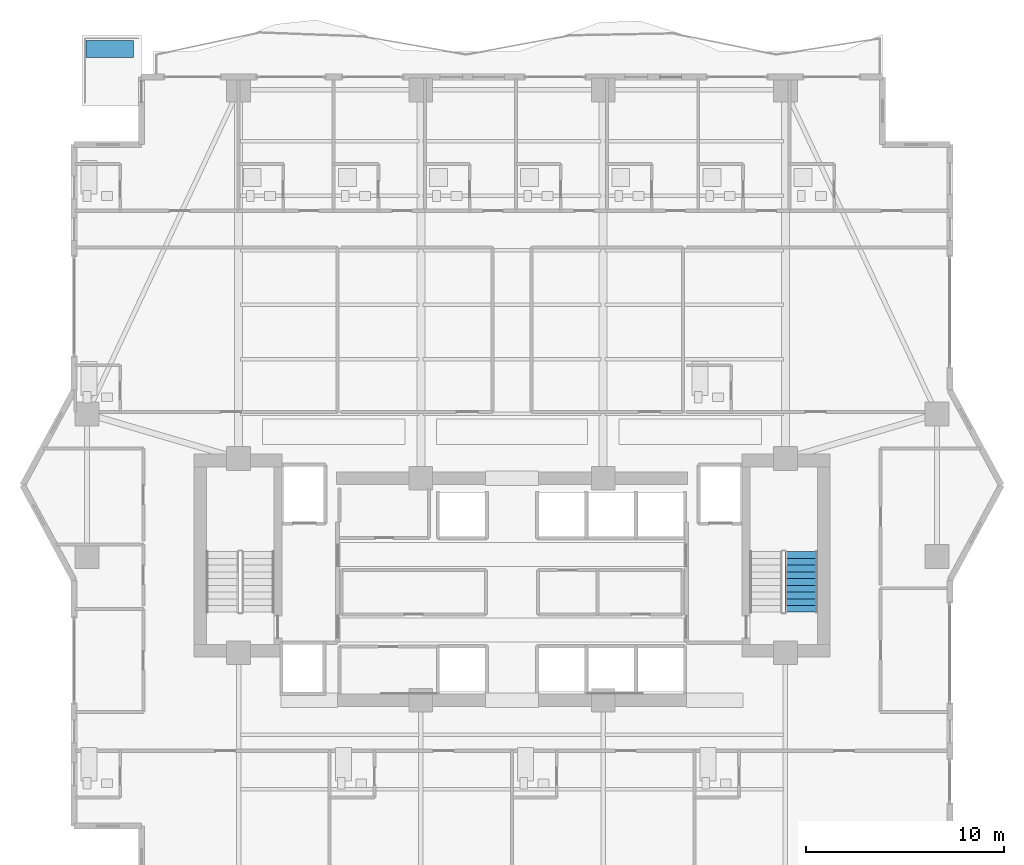
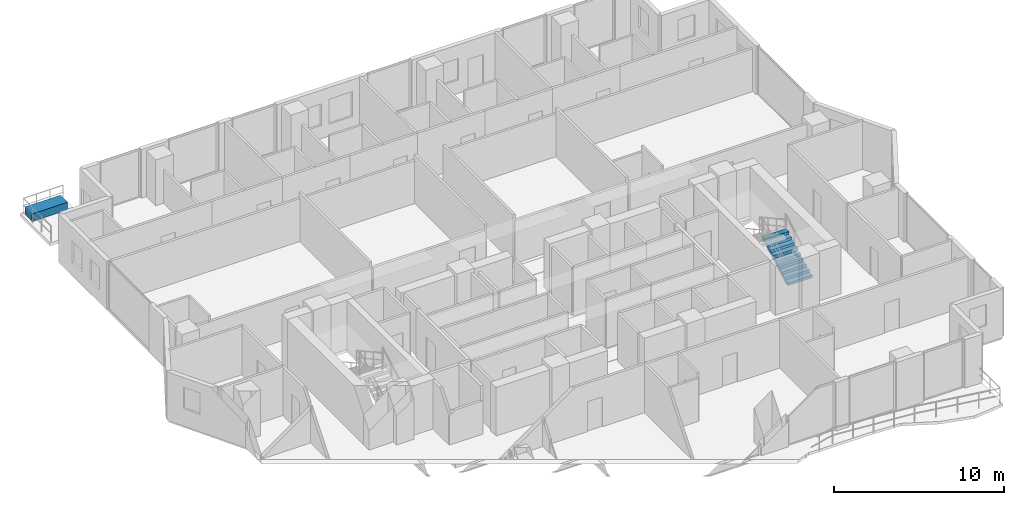
# One storey, part 29 of 33: 1 building element part, 1 stair flight, 1 element without a shape of its own.
"""IFC4 building model written with IfcOpenShell, lengths in metres."""

from ifc_helpers import new_model, si_unit, direction, frame, origin, origin_2d, place, context, subcontext, project, spatial, polyline, rectangle, outline, extrude, material, layer, layer_set, type_object, element, aggregate, save


model = new_model("IFC4")

# Units and contexts
model_context = context("Model", 3, precision=1e-05, world=origin(), true_north=direction((0.0, 1.0)))
body_context = subcontext(model_context, "Body", "Model", "MODEL_VIEW")
ifc_project = project(units=[si_unit("LENGTHUNIT", "METRE"), si_unit("AREAUNIT", "SQUARE_METRE"), si_unit("VOLUMEUNIT", "CUBIC_METRE"), si_unit("PLANEANGLEUNIT", "RADIAN"), si_unit("MASSUNIT", "GRAM", prefix="KILO")], contexts=[model_context])

# Site, building, storey
site_placement = place(None, origin())
site = spatial("IfcSite", under=ifc_project, at=site_placement, CompositionType="ELEMENT")
building_placement = place(site_placement, origin())
building = spatial("IfcBuilding", under=site, at=building_placement, Name="Zuhayl Quay Hotel", CompositionType="ELEMENT")
storey_placement = place(building_placement, frame((0.0, 0.0, 229.89990234375)))
storey = spatial("IfcBuildingStorey", under=building, at=storey_placement, Name="L58", CompositionType="ELEMENT", Elevation=229.89990234375)

# Stair, stair flight
ifc_material_1 = material(Name="Concrete C45/55", Category="concrete")
stair_type = type_object("IfcStairType", Name="ST_DOGLEG_TOWER", PredefinedType="HALF_TURN_STAIR", material=ifc_material_1)
stair_placement = place(storey_placement, origin())
stair = element("IfcStair", 1, at=stair_placement, inside=storey, type_object=stair_type, Name="L58 Smokeproof Exit Stair ST2", PredefinedType="HALF_TURN_STAIR")
ifc_layer_1 = layer(ifc_material_1, 0.159912109375, Name="Concrete C45/55", Category="concrete")
ifc_layer_set_1 = layer_set([ifc_layer_1], Name="Concrete C45/55")
stair_flight_type = type_object("IfcStairFlightType", Name="SF_CONC_164", PredefinedType="STRAIGHT", material=ifc_layer_set_1)
stair_flight_placement = place(storey_placement, frame((14.610107421875, 6.590087890625, 0.0), z_axis=(0.0, 0.0, 1.0), x_axis=(0.0, 1.0, 0.0)))
stair_flight = element("IfcStairFlight", 2, at=stair_flight_placement, type_object=stair_flight_type, Name="ST2 flight 1", NumberOfRisers=10, NumberOfTreads=9, PredefinedType="STRAIGHT", RiserHeight=0.1875, TreadLength=0.34, context=body_context, shape_type="SweptSolid", body=[
    extrude(outline(polyline([(0.0, 0.0), (0.0, 0.1875), (0.340087890625, 0.1875), (0.340087890625, 0.375), (0.679931640625, 0.375), (0.679931640625, 0.5625), (1.02001953125, 0.5625), (1.02001953125, 0.75), (1.360107421875, 0.75), (1.360107421875, 0.9375), (1.699951171875, 0.9375), (1.699951171875, 1.125), (2.0400390625, 1.125), (2.0400390625, 1.3125), (2.3798828125, 1.3125), (2.3798828125, 1.5), (2.719970703125, 1.5), (2.719970703125, 1.6875), (3.06005859375, 1.6875), (3.06005859375, 1.875), (3.06005859375, 1.516357421875), (0.310302734375, 0.0), (0.0, 0.0)])), frame((0.0, 0.81982421875, 0.0), z_axis=(0.0, -1.0, 0.0), x_axis=(1.0, 0.0, 0.0)), (0.0, 0.0, 1.0), 1.639892578125),
])
aggregate(stair, [stair_flight])

# Building element part
ifc_material_2 = material(Name="Precast concrete C45/55", Category="concrete")
ifc_layer_2 = layer(ifc_material_2, 0.550048828125, Name="Precast concrete C45/55", Category="concrete")
ifc_layer_set_2 = layer_set([ifc_layer_2], Name="Precast concrete C45/55")
building_element_part_type = type_object("IfcBuildingElementPartType", Name="PT_PLANTER_KERB", PredefinedType="PRECASTPANEL", material=ifc_layer_set_2)
building_element_part_placement = place(storey_placement, frame((-20.31005859375, 35.010009765625, 0.0), z_axis=(0.0, 0.0, 1.0), x_axis=(1.0, 0.0, 0.0)))
element("IfcBuildingElementPart", 3, at=building_element_part_placement, inside=storey, type_object=building_element_part_type, Name="L58 Spiral Sky-Terrace Planter Box NW", PredefinedType="PRECASTPANEL", context=body_context, shape_type="SweptSolid", body=[
    extrude(rectangle(XDim=2.39990234375, YDim=0.85009765625, at=origin_2d()), origin(), (0.0, 0.0, 1.0), 0.550048828125),
])

save(model, "model.ifc")
